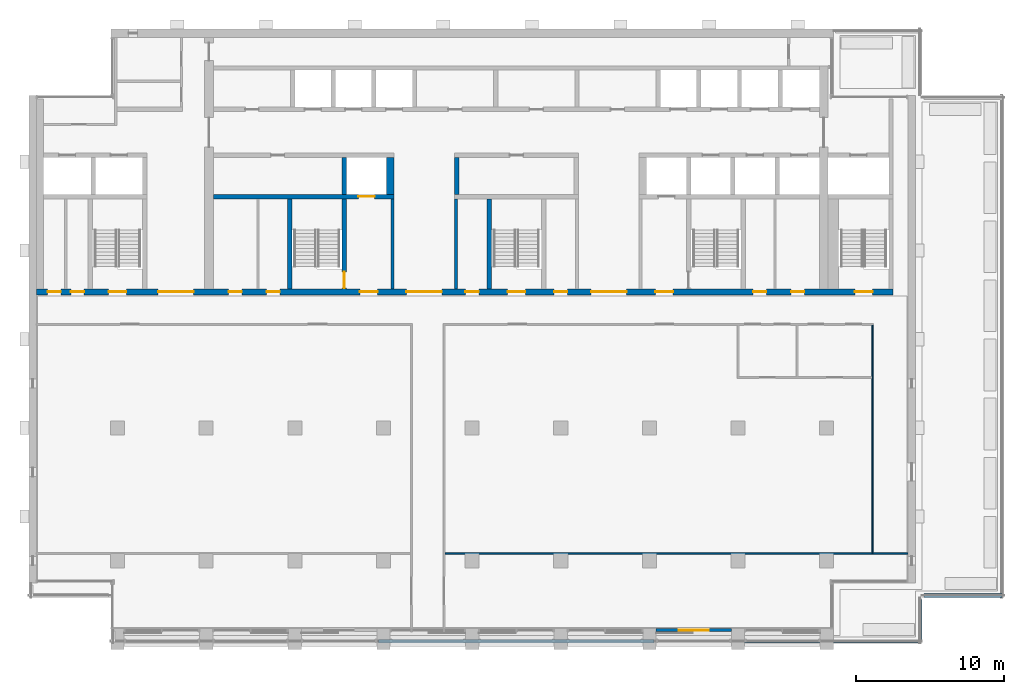
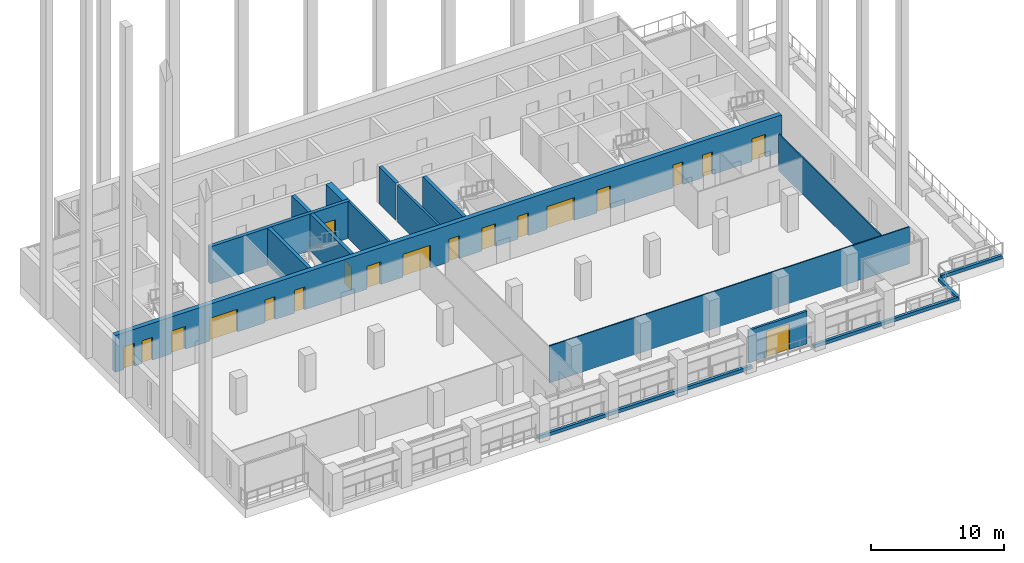
# One storey, part 8 of 16: 19 doors, 17 walls, 19 openings.
"""IFC4 building model written with IfcOpenShell, lengths in metres."""

from ifc_helpers import new_model, si_unit, direction, frame, frame_2d, origin, place, context, subcontext, project, spatial, rectangle, extrude, material, layer, layer_set, type_object, element, fill, save


model = new_model("IFC4")

# Units and contexts
model_context = context("Model", 3, precision=1e-05, world=origin(), true_north=direction((0.0, 1.0)))
body_context = subcontext(model_context, "Body", "Model", "MODEL_VIEW")
ifc_project = project(units=[si_unit("LENGTHUNIT", "METRE"), si_unit("AREAUNIT", "SQUARE_METRE"), si_unit("VOLUMEUNIT", "CUBIC_METRE"), si_unit("PLANEANGLEUNIT", "RADIAN"), si_unit("MASSUNIT", "GRAM", prefix="KILO")], contexts=[model_context])

# Site, building, storey
site_placement = place(None, origin())
site = spatial("IfcSite", under=ifc_project, at=site_placement, CompositionType="ELEMENT")
building_placement = place(site_placement, origin())
building = spatial("IfcBuilding", under=site, at=building_placement, Name="Calvaro Tower", CompositionType="ELEMENT")
storey_placement = place(building_placement, frame((0.0, 0.0, 231.75)))
storey = spatial("IfcBuildingStorey", under=building, at=storey_placement, Name="L58", CompositionType="ELEMENT", Elevation=231.75)

# Walls
ifc_material_1 = material(Name="Blockwork partition", Category="masonry")
ifc_layer_1 = layer(ifc_material_1, 0.199951171875)
ifc_layer_set_1 = layer_set([ifc_layer_1], Name="Blockwork partition")
wall_type_1 = type_object("IfcWallType", Name="Core partition 200 REI 120", PredefinedType="PARTITIONING", material=ifc_layer_set_1)
for number, where, z_axis, x_axis, name in (
    (1, (30.60009765625, 28.39990234375, 0.0), (0.0, 0.0, 1.0), (0.0, 1.0, 0.0), "Core partition"),
    (2, (34.89990234375, 28.39990234375, 0.0), (0.0, 0.0, 1.0), (0.0, 1.0, 0.0), "Core partition"),
):
    element("IfcWall", number, at=place(storey_placement, frame(where, z_axis=z_axis, x_axis=x_axis)), inside=storey, type_object=wall_type_1, Name=name, PredefinedType="PARTITIONING", context=body_context, shape_type="SweptSolid", body=[
        extrude(rectangle(XDim=6.10009765625, YDim=0.199951171875, at=frame_2d((3.050048828125, 0.0))), origin(), (0.0, 0.0, 1.0), 3.39990234375),
    ])
ifc_material_2 = material(Name="Concrete C40/50", Category="concrete")
ifc_layer_2 = layer(ifc_material_2, 0.300048828125)
ifc_layer_set_2 = layer_set([ifc_layer_2], Name="Concrete C40/50")
wall_type_2 = type_object("IfcWallType", Name="Core wall C40/50 300", PredefinedType="SHEAR", material=ifc_layer_set_2)
wall_1_placement = place(storey_placement, frame((23.64990234375, 28.39990234375, 0.0), z_axis=(0.0, 0.0, 1.0), x_axis=(0.0, 1.0, 0.0)))
element("IfcWall", 3, at=wall_1_placement, inside=storey, type_object=wall_type_2, Name="Core wall, stair enclosure", PredefinedType="SHEAR", context=body_context, shape_type="SweptSolid", body=[
    extrude(rectangle(XDim=6.10009765625, YDim=0.300048828125, at=frame_2d((3.050048828125, 0.0))), origin(), (0.0, 0.0, 1.0), 3.39990234375),
])

# Wall, opening, door
wall_2_placement = place(storey_placement, frame((27.35009765625, 28.39990234375, 0.0), z_axis=(0.0, 0.0, 1.0), x_axis=(0.0, 1.0, 0.0)))
wall_2 = element("IfcWall", 4, at=wall_2_placement, inside=storey, type_object=wall_type_2, Name="Core wall, stair enclosure", PredefinedType="SHEAR", context=body_context, shape_type="SweptSolid", body=[
    extrude(rectangle(XDim=6.10009765625, YDim=0.300048828125, at=frame_2d((3.050048828125, 0.0))), origin(), (0.0, 0.0, 1.0), 3.39990234375),
])
opening_1_placement = place(wall_2_placement, frame((0.050048828125, 0.0, 0.0)))
opening_1 = element("IfcOpeningElement", 5, at=opening_1_placement, cuts=wall_2, Name="Opening FD11D", PredefinedType="OPENING", context=body_context, shape_type="SweptSolid", body=[
    extrude(rectangle(XDim=1.10009765625, YDim=2.10009765625, at=frame_2d((0.550048828125, 1.050048828125))), frame((0.0, 0.159912109375, 0.0), z_axis=(0.0, -1.0, 0.0), x_axis=(1.0, 0.0, 0.0)), (0.0, 0.0, 1.0), 0.320068359375),
])
ifc_material_3 = material(Name="Steel door set", Category="steel")
door_type_1 = type_object("IfcDoorType", Name="Fire door 1100 FD30S", OperationType="SINGLE_SWING_LEFT", PredefinedType="DOOR", material=ifc_material_3)
door_1_placement = place(opening_1_placement, origin())
door_1 = element("IfcDoor", 6, at=door_1_placement, inside=storey, type_object=door_type_1, Name="Fire door", OperationType="SINGLE_SWING_LEFT", OverallHeight=2.10009765625, OverallWidth=1.10009765625, PredefinedType="DOOR", context=body_context, shape_type="SweptSolid", body=[
    extrude(rectangle(XDim=1.10009765625, YDim=2.10009765625, at=frame_2d((0.550048828125, 1.050048828125))), frame((0.0, 0.02490234375, 0.0), z_axis=(0.0, -1.0, 0.0), x_axis=(1.0, 0.0, 0.0)), (0.0, 0.0, 1.0), 0.050048828125),
])
fill(opening_1, door_1)

# Wall
wall_3_placement = place(storey_placement, frame((37.14990234375, 28.39990234375, 0.0), z_axis=(0.0, 0.0, 1.0), x_axis=(0.0, 1.0, 0.0)))
element("IfcWall", 7, at=wall_3_placement, inside=storey, type_object=wall_type_2, Name="Core wall, stair enclosure", PredefinedType="SHEAR", context=body_context, shape_type="SweptSolid", body=[
    extrude(rectangle(XDim=6.10009765625, YDim=0.300048828125, at=frame_2d((3.050048828125, 0.0))), origin(), (0.0, 0.0, 1.0), 3.39990234375),
])

# Wall, opening, door
wall_4_placement = place(storey_placement, frame((18.5, 34.64990234375, 0.0), z_axis=(0.0, 0.0, 1.0), x_axis=(1.0, 0.0, 0.0)))
wall_4 = element("IfcWall", 8, at=wall_4_placement, inside=storey, type_object=wall_type_2, Name="Core wall, lift shaft", PredefinedType="SHEAR", context=body_context, shape_type="SweptSolid", body=[
    extrude(rectangle(XDim=12.199951171875, YDim=0.300048828125, at=frame_2d((6.10009765625, 0.0))), origin(), (0.0, 0.0, 1.0), 3.39990234375),
])
opening_2_placement = place(wall_4_placement, frame((9.800048828125, 0.0, 0.0)))
opening_2 = element("IfcOpeningElement", 9, at=opening_2_placement, cuts=wall_4, Name="Opening FF1", PredefinedType="OPENING", context=body_context, shape_type="SweptSolid", body=[
    extrude(rectangle(XDim=1.10009765625, YDim=2.10009765625, at=frame_2d((0.550048828125, 1.050048828125))), frame((0.0, 0.159912109375, 0.0), z_axis=(0.0, -1.0, 0.0), x_axis=(1.0, 0.0, 0.0)), (0.0, 0.0, 1.0), 0.320068359375),
])
ifc_material_4 = material(Name="Stainless steel", Category="steel")
door_type_2 = type_object("IfcDoorType", Name="Landing door 1100 E 60", OperationType="SLIDING_TO_LEFT", PredefinedType="DOOR", material=ifc_material_4)
door_2_placement = place(opening_2_placement, origin())
door_2 = element("IfcDoor", 10, at=door_2_placement, inside=storey, type_object=door_type_2, Name="Landing door FF1", OperationType="SLIDING_TO_LEFT", OverallHeight=2.10009765625, OverallWidth=1.10009765625, PredefinedType="DOOR", context=body_context, shape_type="SweptSolid", body=[
    extrude(rectangle(XDim=1.10009765625, YDim=2.10009765625, at=frame_2d((0.550048828125, 1.050048828125))), frame((0.0, 0.02490234375, 0.0), z_axis=(0.0, -1.0, 0.0), x_axis=(1.0, 0.0, 0.0)), (0.0, 0.0, 1.0), 0.050048828125),
])
fill(opening_2, door_2)

# Walls
for number, where, z_axis, x_axis, name in (
    (11, (27.35009765625, 34.800048828125, 0.0), (0.0, 0.0, 1.0), (0.0, 1.0, 0.0), "Core wall, lift shaft"),
    (12, (34.949951171875, 34.800048828125, 0.0), (0.0, 0.0, 1.0), (0.0, 1.0, 0.0), "Core wall, lift shaft"),
):
    element("IfcWall", number, at=place(storey_placement, frame(where, z_axis=z_axis, x_axis=x_axis)), inside=storey, type_object=wall_type_2, Name=name, PredefinedType="SHEAR", context=body_context, shape_type="SweptSolid", body=[
        extrude(rectangle(XDim=2.5, YDim=0.300048828125, at=frame_2d((1.25, 0.0))), origin(), (0.0, 0.0, 1.0), 3.39990234375),
    ])

# Wall, openings, doors
ifc_material_5 = material(Name="Concrete C40/50", Category="concrete")
ifc_layer_3 = layer(ifc_material_5, 0.39990234375)
ifc_layer_set_3 = layer_set([ifc_layer_3], Name="Concrete C40/50")
wall_type_3 = type_object("IfcWallType", Name="Core wall C40/50 400", PredefinedType="SHEAR", material=ifc_layer_set_3)
wall_5_placement = place(storey_placement, frame((6.5, 28.199951171875, 0.0), z_axis=(0.0, 0.0, 1.0), x_axis=(1.0, 0.0, 0.0)))
wall_5 = element("IfcWall", 13, at=wall_5_placement, inside=storey, type_object=wall_type_3, Name="Core wall, front", PredefinedType="SHEAR", context=body_context, shape_type="SweptSolid", body=[
    extrude(rectangle(XDim=58.0, YDim=0.39990234375, at=frame_2d((29.0, 0.0))), origin(), (0.0, 0.0, 1.0), 3.39990234375),
])
opening_3_placement = place(wall_5_placement, frame((13.012451171875, 0.0, 0.0)))
opening_3 = element("IfcOpeningElement", 14, at=opening_3_placement, cuts=wall_5, Name="Opening RD9E", PredefinedType="OPENING", context=body_context, shape_type="SweptSolid", body=[
    extrude(rectangle(XDim=0.89990234375, YDim=2.10009765625, at=frame_2d((0.449951171875, 1.050048828125))), frame((0.0, 0.2099609375, 0.0), z_axis=(0.0, -1.0, 0.0), x_axis=(1.0, 0.0, 0.0)), (0.0, 0.0, 1.0), 0.419921875),
])
opening_4_placement = place(wall_5_placement, frame((15.58740234375, 0.0, 0.0)))
opening_4 = element("IfcOpeningElement", 15, at=opening_4_placement, cuts=wall_5, Name="Opening RD9E", PredefinedType="OPENING", context=body_context, shape_type="SweptSolid", body=[
    extrude(rectangle(XDim=0.89990234375, YDim=2.10009765625, at=frame_2d((0.449951171875, 1.050048828125))), frame((0.0, 0.2099609375, 0.0), z_axis=(0.0, -1.0, 0.0), x_axis=(1.0, 0.0, 0.0)), (0.0, 0.0, 1.0), 0.419921875),
])
opening_5_placement = place(wall_5_placement, frame((48.512451171875, 0.0, 0.0)))
opening_5 = element("IfcOpeningElement", 16, at=opening_5_placement, cuts=wall_5, Name="Opening RD9E", PredefinedType="OPENING", context=body_context, shape_type="SweptSolid", body=[
    extrude(rectangle(XDim=0.89990234375, YDim=2.10009765625, at=frame_2d((0.449951171875, 1.050048828125))), frame((0.0, 0.2099609375, 0.0), z_axis=(0.0, -1.0, 0.0), x_axis=(1.0, 0.0, 0.0)), (0.0, 0.0, 1.0), 0.419921875),
])
opening_6_placement = place(wall_5_placement, frame((51.08740234375, 0.0, 0.0)))
opening_6 = element("IfcOpeningElement", 17, at=opening_6_placement, cuts=wall_5, Name="Opening RD9E", PredefinedType="OPENING", context=body_context, shape_type="SweptSolid", body=[
    extrude(rectangle(XDim=0.89990234375, YDim=2.10009765625, at=frame_2d((0.449951171875, 1.050048828125))), frame((0.0, 0.2099609375, 0.0), z_axis=(0.0, -1.0, 0.0), x_axis=(1.0, 0.0, 0.0)), (0.0, 0.0, 1.0), 0.419921875),
])
opening_7_placement = place(wall_5_placement, frame((0.762451171875, 0.0, 0.0)))
opening_7 = element("IfcOpeningElement", 18, at=opening_7_placement, cuts=wall_5, Name="Opening RD9E", PredefinedType="OPENING", context=body_context, shape_type="SweptSolid", body=[
    extrude(rectangle(XDim=0.89990234375, YDim=2.10009765625, at=frame_2d((0.449951171875, 1.050048828125))), frame((0.0, 0.2099609375, 0.0), z_axis=(0.0, -1.0, 0.0), x_axis=(1.0, 0.0, 0.0)), (0.0, 0.0, 1.0), 0.419921875),
])
opening_8_placement = place(wall_5_placement, frame((2.33740234375, 0.0, 0.0)))
opening_8 = element("IfcOpeningElement", 19, at=opening_8_placement, cuts=wall_5, Name="Opening RD9C", PredefinedType="OPENING", context=body_context, shape_type="SweptSolid", body=[
    extrude(rectangle(XDim=0.89990234375, YDim=2.10009765625, at=frame_2d((0.449951171875, 1.050048828125))), frame((0.0, 0.2099609375, 0.0), z_axis=(0.0, -1.0, 0.0), x_axis=(1.0, 0.0, 0.0)), (0.0, 0.0, 1.0), 0.419921875),
])
opening_9_placement = place(wall_5_placement, frame((4.89990234375, 0.0, 0.0)))
opening_9 = element("IfcOpeningElement", 20, at=opening_9_placement, cuts=wall_5, Name="Opening SD12D", PredefinedType="OPENING", context=body_context, shape_type="SweptSolid", body=[
    extrude(rectangle(XDim=1.199951171875, YDim=2.10009765625, at=frame_2d((0.60009765625, 1.050048828125))), frame((0.0, 0.2099609375, 0.0), z_axis=(0.0, -1.0, 0.0), x_axis=(1.0, 0.0, 0.0)), (0.0, 0.0, 1.0), 0.419921875),
])
opening_10_placement = place(wall_5_placement, frame((31.89990234375, 0.0, 0.0)))
opening_10 = element("IfcOpeningElement", 21, at=opening_10_placement, cuts=wall_5, Name="Opening SD12D", PredefinedType="OPENING", context=body_context, shape_type="SweptSolid", body=[
    extrude(rectangle(XDim=1.199951171875, YDim=2.10009765625, at=frame_2d((0.60009765625, 1.050048828125))), frame((0.0, 0.2099609375, 0.0), z_axis=(0.0, -1.0, 0.0), x_axis=(1.0, 0.0, 0.0)), (0.0, 0.0, 1.0), 0.419921875),
])
opening_11_placement = place(wall_5_placement, frame((55.39990234375, 0.0, 0.0)))
opening_11 = element("IfcOpeningElement", 22, at=opening_11_placement, cuts=wall_5, Name="Opening SD12D", PredefinedType="OPENING", context=body_context, shape_type="SweptSolid", body=[
    extrude(rectangle(XDim=1.199951171875, YDim=2.10009765625, at=frame_2d((0.60009765625, 1.050048828125))), frame((0.0, 0.2099609375, 0.0), z_axis=(0.0, -1.0, 0.0), x_axis=(1.0, 0.0, 0.0)), (0.0, 0.0, 1.0), 0.419921875),
])
opening_12_placement = place(wall_5_placement, frame((21.89990234375, 0.0, 0.0)))
opening_12 = element("IfcOpeningElement", 23, at=opening_12_placement, cuts=wall_5, Name="Opening FD12F", PredefinedType="OPENING", context=body_context, shape_type="SweptSolid", body=[
    extrude(rectangle(XDim=1.199951171875, YDim=2.10009765625, at=frame_2d((0.60009765625, 1.050048828125))), frame((0.0, 0.2099609375, 0.0), z_axis=(0.0, -1.0, 0.0), x_axis=(1.0, 0.0, 0.0)), (0.0, 0.0, 1.0), 0.419921875),
])
opening_13_placement = place(wall_5_placement, frame((41.89990234375, 0.0, 0.0)))
opening_13 = element("IfcOpeningElement", 24, at=opening_13_placement, cuts=wall_5, Name="Opening FD12F", PredefinedType="OPENING", context=body_context, shape_type="SweptSolid", body=[
    extrude(rectangle(XDim=1.199951171875, YDim=2.10009765625, at=frame_2d((0.60009765625, 1.050048828125))), frame((0.0, 0.2099609375, 0.0), z_axis=(0.0, -1.0, 0.0), x_axis=(1.0, 0.0, 0.0)), (0.0, 0.0, 1.0), 0.419921875),
])
opening_14_placement = place(wall_5_placement, frame((25.050048828125, 0.0, 0.0)))
opening_14 = element("IfcOpeningElement", 25, at=opening_14_placement, cuts=wall_5, Name="Opening DD24D", PredefinedType="OPENING", context=body_context, shape_type="SweptSolid", body=[
    extrude(rectangle(XDim=2.39990234375, YDim=2.10009765625, at=frame_2d((1.199951171875, 1.050048828125))), frame((0.0, 0.2099609375, 0.0), z_axis=(0.0, -1.0, 0.0), x_axis=(1.0, 0.0, 0.0)), (0.0, 0.0, 1.0), 0.419921875),
])
opening_15_placement = place(wall_5_placement, frame((37.550048828125, 0.0, 0.0)))
opening_15 = element("IfcOpeningElement", 26, at=opening_15_placement, cuts=wall_5, Name="Opening DD24D", PredefinedType="OPENING", context=body_context, shape_type="SweptSolid", body=[
    extrude(rectangle(XDim=2.39990234375, YDim=2.10009765625, at=frame_2d((1.199951171875, 1.050048828125))), frame((0.0, 0.2099609375, 0.0), z_axis=(0.0, -1.0, 0.0), x_axis=(1.0, 0.0, 0.0)), (0.0, 0.0, 1.0), 0.419921875),
])
opening_16_placement = place(wall_5_placement, frame((8.25, 0.0, 0.0)))
opening_16 = element("IfcOpeningElement", 27, at=opening_16_placement, cuts=wall_5, Name="Opening DD24D", PredefinedType="OPENING", context=body_context, shape_type="SweptSolid", body=[
    extrude(rectangle(XDim=2.39990234375, YDim=2.10009765625, at=frame_2d((1.199951171875, 1.050048828125))), frame((0.0, 0.2099609375, 0.0), z_axis=(0.0, -1.0, 0.0), x_axis=(1.0, 0.0, 0.0)), (0.0, 0.0, 1.0), 0.419921875),
])
opening_17_placement = place(wall_5_placement, frame((29.050048828125, 0.0, 0.0)))
opening_17 = element("IfcOpeningElement", 28, at=opening_17_placement, cuts=wall_5, Name="Opening RD9E", PredefinedType="OPENING", context=body_context, shape_type="SweptSolid", body=[
    extrude(rectangle(XDim=0.89990234375, YDim=2.10009765625, at=frame_2d((0.449951171875, 1.050048828125))), frame((0.0, 0.2099609375, 0.0), z_axis=(0.0, -1.0, 0.0), x_axis=(1.0, 0.0, 0.0)), (0.0, 0.0, 1.0), 0.419921875),
])
opening_18_placement = place(wall_5_placement, frame((35.050048828125, 0.0, 0.0)))
opening_18 = element("IfcOpeningElement", 29, at=opening_18_placement, cuts=wall_5, Name="Opening RD9E", PredefinedType="OPENING", context=body_context, shape_type="SweptSolid", body=[
    extrude(rectangle(XDim=0.89990234375, YDim=2.10009765625, at=frame_2d((0.449951171875, 1.050048828125))), frame((0.0, 0.2099609375, 0.0), z_axis=(0.0, -1.0, 0.0), x_axis=(1.0, 0.0, 0.0)), (0.0, 0.0, 1.0), 0.419921875),
])
ifc_material_6 = material(Name="Steel door set", Category="steel")
door_type_3 = type_object("IfcDoorType", Name="Fire door 1200 FD60S", OperationType="SINGLE_SWING_LEFT", PredefinedType="DOOR", material=ifc_material_6)
door_3_placement = place(opening_12_placement, origin())
door_3 = element("IfcDoor", 30, at=door_3_placement, inside=storey, type_object=door_type_3, Name="Fire door", OperationType="SINGLE_SWING_LEFT", OverallHeight=2.10009765625, OverallWidth=1.199951171875, PredefinedType="DOOR", context=body_context, shape_type="SweptSolid", body=[
    extrude(rectangle(XDim=1.199951171875, YDim=2.10009765625, at=frame_2d((0.60009765625, 1.050048828125))), frame((0.0, 0.02490234375, 0.0), z_axis=(0.0, -1.0, 0.0), x_axis=(1.0, 0.0, 0.0)), (0.0, 0.0, 1.0), 0.050048828125),
])
fill(opening_12, door_3)
door_4_placement = place(opening_13_placement, origin())
door_4 = element("IfcDoor", 31, at=door_4_placement, inside=storey, type_object=door_type_3, Name="Fire door", OperationType="SINGLE_SWING_LEFT", OverallHeight=2.10009765625, OverallWidth=1.199951171875, PredefinedType="DOOR", context=body_context, shape_type="SweptSolid", body=[
    extrude(rectangle(XDim=1.199951171875, YDim=2.10009765625, at=frame_2d((0.60009765625, 1.050048828125))), frame((0.0, 0.02490234375, 0.0), z_axis=(0.0, -1.0, 0.0), x_axis=(1.0, 0.0, 0.0)), (0.0, 0.0, 1.0), 0.050048828125),
])
fill(opening_13, door_4)
ifc_material_7 = material(Name="Steel door set", Category="steel")
door_type_4 = type_object("IfcDoorType", Name="Lobby double door 2400 FD30S", OperationType="DOUBLE_DOOR_SINGLE_SWING", PredefinedType="DOOR", material=ifc_material_7)
door_5_placement = place(opening_14_placement, origin())
door_5 = element("IfcDoor", 32, at=door_5_placement, inside=storey, type_object=door_type_4, Name="Lobby double door", OperationType="DOUBLE_DOOR_SINGLE_SWING", OverallHeight=2.10009765625, OverallWidth=2.39990234375, PredefinedType="DOOR", context=body_context, shape_type="SweptSolid", body=[
    extrude(rectangle(XDim=2.39990234375, YDim=2.10009765625, at=frame_2d((1.199951171875, 1.050048828125))), frame((0.0, 0.02490234375, 0.0), z_axis=(0.0, -1.0, 0.0), x_axis=(1.0, 0.0, 0.0)), (0.0, 0.0, 1.0), 0.050048828125),
])
fill(opening_14, door_5)
door_6_placement = place(opening_15_placement, origin())
door_6 = element("IfcDoor", 33, at=door_6_placement, inside=storey, type_object=door_type_4, Name="Lobby double door", OperationType="DOUBLE_DOOR_SINGLE_SWING", OverallHeight=2.10009765625, OverallWidth=2.39990234375, PredefinedType="DOOR", context=body_context, shape_type="SweptSolid", body=[
    extrude(rectangle(XDim=2.39990234375, YDim=2.10009765625, at=frame_2d((1.199951171875, 1.050048828125))), frame((0.0, 0.02490234375, 0.0), z_axis=(0.0, -1.0, 0.0), x_axis=(1.0, 0.0, 0.0)), (0.0, 0.0, 1.0), 0.050048828125),
])
fill(opening_15, door_6)
door_7_placement = place(opening_16_placement, origin())
door_7 = element("IfcDoor", 34, at=door_7_placement, inside=storey, type_object=door_type_4, Name="Lobby double door", OperationType="DOUBLE_DOOR_SINGLE_SWING", OverallHeight=2.10009765625, OverallWidth=2.39990234375, PredefinedType="DOOR", context=body_context, shape_type="SweptSolid", body=[
    extrude(rectangle(XDim=2.39990234375, YDim=2.10009765625, at=frame_2d((1.199951171875, 1.050048828125))), frame((0.0, 0.02490234375, 0.0), z_axis=(0.0, -1.0, 0.0), x_axis=(1.0, 0.0, 0.0)), (0.0, 0.0, 1.0), 0.050048828125),
])
fill(opening_16, door_7)
ifc_material_8 = material(Name="Steel door set", Category="steel")
door_type_5 = type_object("IfcDoorType", Name="Room door 900 FD30", OperationType="SINGLE_SWING_LEFT", PredefinedType="DOOR", material=ifc_material_8)
door_8_placement = place(opening_8_placement, origin())
door_8 = element("IfcDoor", 35, at=door_8_placement, inside=storey, type_object=door_type_5, Name="Room door", OperationType="SINGLE_SWING_LEFT", OverallHeight=2.10009765625, OverallWidth=0.89990234375, PredefinedType="DOOR", context=body_context, shape_type="SweptSolid", body=[
    extrude(rectangle(XDim=0.89990234375, YDim=2.10009765625, at=frame_2d((0.449951171875, 1.050048828125))), frame((0.0, 0.02490234375, 0.0), z_axis=(0.0, -1.0, 0.0), x_axis=(1.0, 0.0, 0.0)), (0.0, 0.0, 1.0), 0.050048828125),
])
fill(opening_8, door_8)
ifc_material_9 = material(Name="Steel door set", Category="steel")
door_type_6 = type_object("IfcDoorType", Name="Room door 900 FD60", OperationType="SINGLE_SWING_LEFT", PredefinedType="DOOR", material=ifc_material_9)
door_9_placement = place(opening_3_placement, origin())
door_9 = element("IfcDoor", 36, at=door_9_placement, inside=storey, type_object=door_type_6, Name="Room door", OperationType="SINGLE_SWING_LEFT", OverallHeight=2.10009765625, OverallWidth=0.89990234375, PredefinedType="DOOR", context=body_context, shape_type="SweptSolid", body=[
    extrude(rectangle(XDim=0.89990234375, YDim=2.10009765625, at=frame_2d((0.449951171875, 1.050048828125))), frame((0.0, 0.02490234375, 0.0), z_axis=(0.0, -1.0, 0.0), x_axis=(1.0, 0.0, 0.0)), (0.0, 0.0, 1.0), 0.050048828125),
])
fill(opening_3, door_9)
door_10_placement = place(opening_4_placement, origin())
door_10 = element("IfcDoor", 37, at=door_10_placement, inside=storey, type_object=door_type_6, Name="Room door", OperationType="SINGLE_SWING_RIGHT", OverallHeight=2.10009765625, OverallWidth=0.89990234375, PredefinedType="DOOR", context=body_context, shape_type="SweptSolid", body=[
    extrude(rectangle(XDim=0.89990234375, YDim=2.10009765625, at=frame_2d((0.449951171875, 1.050048828125))), frame((0.0, 0.02490234375, 0.0), z_axis=(0.0, -1.0, 0.0), x_axis=(1.0, 0.0, 0.0)), (0.0, 0.0, 1.0), 0.050048828125),
])
fill(opening_4, door_10)
door_11_placement = place(opening_5_placement, origin())
door_11 = element("IfcDoor", 38, at=door_11_placement, inside=storey, type_object=door_type_6, Name="Room door", OperationType="SINGLE_SWING_LEFT", OverallHeight=2.10009765625, OverallWidth=0.89990234375, PredefinedType="DOOR", context=body_context, shape_type="SweptSolid", body=[
    extrude(rectangle(XDim=0.89990234375, YDim=2.10009765625, at=frame_2d((0.449951171875, 1.050048828125))), frame((0.0, 0.02490234375, 0.0), z_axis=(0.0, -1.0, 0.0), x_axis=(1.0, 0.0, 0.0)), (0.0, 0.0, 1.0), 0.050048828125),
])
fill(opening_5, door_11)
door_12_placement = place(opening_6_placement, origin())
door_12 = element("IfcDoor", 39, at=door_12_placement, inside=storey, type_object=door_type_6, Name="Room door", OperationType="SINGLE_SWING_LEFT", OverallHeight=2.10009765625, OverallWidth=0.89990234375, PredefinedType="DOOR", context=body_context, shape_type="SweptSolid", body=[
    extrude(rectangle(XDim=0.89990234375, YDim=2.10009765625, at=frame_2d((0.449951171875, 1.050048828125))), frame((0.0, 0.02490234375, 0.0), z_axis=(0.0, -1.0, 0.0), x_axis=(1.0, 0.0, 0.0)), (0.0, 0.0, 1.0), 0.050048828125),
])
fill(opening_6, door_12)
door_13_placement = place(opening_7_placement, origin())
door_13 = element("IfcDoor", 40, at=door_13_placement, inside=storey, type_object=door_type_6, Name="Room door", OperationType="SINGLE_SWING_LEFT", OverallHeight=2.10009765625, OverallWidth=0.89990234375, PredefinedType="DOOR", context=body_context, shape_type="SweptSolid", body=[
    extrude(rectangle(XDim=0.89990234375, YDim=2.10009765625, at=frame_2d((0.449951171875, 1.050048828125))), frame((0.0, 0.02490234375, 0.0), z_axis=(0.0, -1.0, 0.0), x_axis=(1.0, 0.0, 0.0)), (0.0, 0.0, 1.0), 0.050048828125),
])
fill(opening_7, door_13)
door_14_placement = place(opening_17_placement, origin())
door_14 = element("IfcDoor", 41, at=door_14_placement, inside=storey, type_object=door_type_6, Name="Room door", OperationType="SINGLE_SWING_LEFT", OverallHeight=2.10009765625, OverallWidth=0.89990234375, PredefinedType="DOOR", context=body_context, shape_type="SweptSolid", body=[
    extrude(rectangle(XDim=0.89990234375, YDim=2.10009765625, at=frame_2d((0.449951171875, 1.050048828125))), frame((0.0, 0.02490234375, 0.0), z_axis=(0.0, -1.0, 0.0), x_axis=(1.0, 0.0, 0.0)), (0.0, 0.0, 1.0), 0.050048828125),
])
fill(opening_17, door_14)
door_15_placement = place(opening_18_placement, origin())
door_15 = element("IfcDoor", 42, at=door_15_placement, inside=storey, type_object=door_type_6, Name="Room door", OperationType="SINGLE_SWING_LEFT", OverallHeight=2.10009765625, OverallWidth=0.89990234375, PredefinedType="DOOR", context=body_context, shape_type="SweptSolid", body=[
    extrude(rectangle(XDim=0.89990234375, YDim=2.10009765625, at=frame_2d((0.449951171875, 1.050048828125))), frame((0.0, 0.02490234375, 0.0), z_axis=(0.0, -1.0, 0.0), x_axis=(1.0, 0.0, 0.0)), (0.0, 0.0, 1.0), 0.050048828125),
])
fill(opening_18, door_15)
ifc_material_10 = material(Name="Steel door set", Category="steel")
door_type_7 = type_object("IfcDoorType", Name="Stair door 1200 FD30S", OperationType="SINGLE_SWING_LEFT", PredefinedType="DOOR", material=ifc_material_10)
door_16_placement = place(opening_9_placement, origin())
door_16 = element("IfcDoor", 43, at=door_16_placement, inside=storey, type_object=door_type_7, Name="Stair door", OperationType="SINGLE_SWING_LEFT", OverallHeight=2.10009765625, OverallWidth=1.199951171875, PredefinedType="DOOR", context=body_context, shape_type="SweptSolid", body=[
    extrude(rectangle(XDim=1.199951171875, YDim=2.10009765625, at=frame_2d((0.60009765625, 1.050048828125))), frame((0.0, 0.02490234375, 0.0), z_axis=(0.0, -1.0, 0.0), x_axis=(1.0, 0.0, 0.0)), (0.0, 0.0, 1.0), 0.050048828125),
])
fill(opening_9, door_16)
door_17_placement = place(opening_10_placement, origin())
door_17 = element("IfcDoor", 44, at=door_17_placement, inside=storey, type_object=door_type_7, Name="Stair door", OperationType="SINGLE_SWING_LEFT", OverallHeight=2.10009765625, OverallWidth=1.199951171875, PredefinedType="DOOR", context=body_context, shape_type="SweptSolid", body=[
    extrude(rectangle(XDim=1.199951171875, YDim=2.10009765625, at=frame_2d((0.60009765625, 1.050048828125))), frame((0.0, 0.02490234375, 0.0), z_axis=(0.0, -1.0, 0.0), x_axis=(1.0, 0.0, 0.0)), (0.0, 0.0, 1.0), 0.050048828125),
])
fill(opening_10, door_17)
door_18_placement = place(opening_11_placement, origin())
door_18 = element("IfcDoor", 45, at=door_18_placement, inside=storey, type_object=door_type_7, Name="Stair door", OperationType="SINGLE_SWING_LEFT", OverallHeight=2.10009765625, OverallWidth=1.199951171875, PredefinedType="DOOR", context=body_context, shape_type="SweptSolid", body=[
    extrude(rectangle(XDim=1.199951171875, YDim=2.10009765625, at=frame_2d((0.60009765625, 1.050048828125))), frame((0.0, 0.02490234375, 0.0), z_axis=(0.0, -1.0, 0.0), x_axis=(1.0, 0.0, 0.0)), (0.0, 0.0, 1.0), 0.050048828125),
])
fill(opening_11, door_18)

# Wall
ifc_material_11 = material(Name="Concrete C40/50", Category="concrete")
ifc_layer_4 = layer(ifc_material_11, 0.5)
ifc_layer_set_4 = layer_set([ifc_layer_4], Name="Concrete C40/50")
wall_type_4 = type_object("IfcWallType", Name="Core wall C40/50 500", PredefinedType="SHEAR", material=ifc_layer_set_4)
wall_6_placement = place(storey_placement, frame((30.449951171875, 34.800048828125, 0.0), z_axis=(0.0, 0.0, 1.0), x_axis=(0.0, 1.0, 0.0)))
element("IfcWall", 46, at=wall_6_placement, inside=storey, type_object=wall_type_4, Name="Core wall, lift shaft", PredefinedType="SHEAR", context=body_context, shape_type="SweptSolid", body=[
    extrude(rectangle(XDim=2.5, YDim=0.5, at=frame_2d((1.25, 0.0))), origin(), (0.0, 0.0, 1.0), 3.39990234375),
])

# Wall, opening, door
ifc_material_12 = material(Name="Anodised aluminium", Category="aluminium")
ifc_layer_5 = layer(ifc_material_12, 0.199951171875)
ifc_layer_set_5 = layer_set([ifc_layer_5], Name="Anodised aluminium")
wall_type_5 = type_object("IfcWallType", Name="Insulated door wall 200", PredefinedType="SOLIDWALL", material=ifc_layer_set_5)
wall_7_placement = place(storey_placement, frame((48.449951171875, 5.300048828125, 0.0), z_axis=(0.0, 0.0, 1.0), x_axis=(1.0, 0.0, 0.0)))
wall_7 = element("IfcWall", 47, at=wall_7_placement, inside=storey, type_object=wall_type_5, Name="Door wall", PredefinedType="SOLIDWALL", context=body_context, shape_type="SweptSolid", body=[
    extrude(rectangle(XDim=5.10009765625, YDim=0.199951171875, at=frame_2d((2.550048828125, 0.0))), origin(), (0.0, 0.0, 1.0), 3.0),
])
opening_19_placement = place(wall_7_placement, frame((1.550048828125, 0.0, 0.0)))
opening_19 = element("IfcOpeningElement", 48, at=opening_19_placement, cuts=wall_7, Name="Opening DT20", PredefinedType="OPENING", context=body_context, shape_type="SweptSolid", body=[
    extrude(rectangle(XDim=2.0, YDim=2.39990234375, at=frame_2d((1.0, 1.199951171875))), frame((0.0, 0.10986328125, 0.0), z_axis=(0.0, -1.0, 0.0), x_axis=(1.0, 0.0, 0.0)), (0.0, 0.0, 1.0), 0.219970703125),
])
ifc_material_13 = material(Name="Glass", Category="glass")
door_type_8 = type_object("IfcDoorType", Name="Terrace door pair 2000 x 2400", OperationType="DOUBLE_DOOR_SINGLE_SWING", PredefinedType="DOOR", material=ifc_material_13)
door_19_placement = place(opening_19_placement, frame((2.0, 0.0, 0.0), z_axis=(0.0, 0.0, 1.0), x_axis=(-1.0, 0.0, 0.0)))
door_19 = element("IfcDoor", 49, at=door_19_placement, inside=storey, type_object=door_type_8, Name="Terrace door", OperationType="DOUBLE_DOOR_SINGLE_SWING", OverallHeight=2.39990234375, OverallWidth=2.0, PredefinedType="DOOR", context=body_context, shape_type="SweptSolid", body=[
    extrude(rectangle(XDim=2.0, YDim=2.39990234375, at=frame_2d((1.0, 1.199951171875))), frame((0.0, 0.02490234375, 0.0), z_axis=(0.0, -1.0, 0.0), x_axis=(1.0, 0.0, 0.0)), (0.0, 0.0, 1.0), 0.050048828125),
])
fill(opening_19, door_19)

# Walls
ifc_material_14 = material(Name="Plasterboard on steel studs", Category="steel")
ifc_layer_6 = layer(ifc_material_14, 0.10009765625)
ifc_layer_set_6 = layer_set([ifc_layer_6], Name="Plasterboard on steel studs")
wall_type_6 = type_object("IfcWallType", Name="Partition 100", PredefinedType="PARTITIONING", material=ifc_layer_set_6)
wall_8_placement = place(storey_placement, frame((34.14990234375, 10.5, 0.0), z_axis=(0.0, 0.0, 1.0), x_axis=(1.0, 0.0, 0.0)))
element("IfcWall", 50, at=wall_8_placement, inside=storey, type_object=wall_type_6, Name="Partition T43.W002", PredefinedType="PARTITIONING", context=body_context, shape_type="SweptSolid", body=[
    extrude(rectangle(XDim=31.35009765625, YDim=0.10009765625, at=frame_2d((15.675048828125, 0.0))), origin(), (0.0, 0.0, 1.0), 3.39990234375),
])
wall_9_placement = place(storey_placement, frame((63.10009765625, 10.550048828125, 0.0), z_axis=(0.0, 0.0, 1.0), x_axis=(0.0, 1.0, 0.0)))
element("IfcWall", 51, at=wall_9_placement, inside=storey, type_object=wall_type_6, Name="Partition T43.W010", PredefinedType="PARTITIONING", context=body_context, shape_type="SweptSolid", body=[
    extrude(rectangle(XDim=15.39990234375, YDim=0.10009765625, at=frame_2d((7.699951171875, 0.0))), origin(), (0.0, 0.0, 1.0), 3.39990234375),
])
ifc_material_15 = material(Name="Concrete C40/50", Category="concrete")
ifc_layer_7 = layer(ifc_material_15, 0.199951171875, Name="Structure")
ifc_material_16 = material(Name="Reconstituted stone coping")
ifc_layer_8 = layer(ifc_material_16, 0.050048828125, Name="Finish")
ifc_layer_set_7 = layer_set([ifc_layer_7, ifc_layer_8], Name="Concrete C40/50")
wall_type_7 = type_object("IfcWallType", Name="Terrace edge kerb 250", PredefinedType="PARAPET", material=ifc_layer_set_7)
wall_10_placement = place(storey_placement, frame((71.875, 7.64990234375, 0.0), z_axis=(0.0, 0.0, 1.0), x_axis=(-1.0, 0.0, 0.0)))
element("IfcWall", 52, at=wall_10_placement, inside=storey, type_object=wall_type_7, Name="Terrace edge kerb", PredefinedType="PARAPET", context=body_context, shape_type="SweptSolid", body=[
    extrude(rectangle(XDim=5.300048828125, YDim=0.25, at=frame_2d((2.64990234375, 0.0))), origin(), (0.0, 0.0, 1.0), 0.300048828125),
])
wall_11_placement = place(storey_placement, frame((66.300048828125, 7.375, 0.0), z_axis=(0.0, 0.0, 1.0), x_axis=(0.0, -1.0, 0.0)))
element("IfcWall", 53, at=wall_11_placement, inside=storey, type_object=wall_type_7, Name="Terrace edge kerb", PredefinedType="PARAPET", context=body_context, shape_type="SweptSolid", body=[
    extrude(rectangle(XDim=2.85009765625, YDim=0.25, at=frame_2d((1.425048828125, 0.0))), origin(), (0.0, 0.0, 1.0), 0.300048828125),
])
wall_12_placement = place(storey_placement, frame((29.675048828125, 4.550048828125, 0.0), z_axis=(0.0, 0.0, 1.0), x_axis=(1.0, 0.0, 0.0)))
element("IfcWall", 54, at=wall_12_placement, inside=storey, type_object=wall_type_7, Name="Terrace edge kerb", PredefinedType="PARAPET", context=body_context, shape_type="SweptSolid", body=[
    extrude(rectangle(XDim=18.64990234375, YDim=0.25, at=frame_2d((9.324951171875, 0.0))), origin(), (0.0, 0.0, 1.0), 0.300048828125),
])
wall_13_placement = place(storey_placement, frame((53.675048828125, 4.550048828125, 0.0), z_axis=(0.0, 0.0, 1.0), x_axis=(1.0, 0.0, 0.0)))
element("IfcWall", 55, at=wall_13_placement, inside=storey, type_object=wall_type_7, Name="Terrace edge kerb", PredefinedType="PARAPET", context=body_context, shape_type="SweptSolid", body=[
    extrude(rectangle(XDim=12.64990234375, YDim=0.25, at=frame_2d((6.324951171875, 0.0))), origin(), (0.0, 0.0, 1.0), 0.300048828125),
])

save(model, "model.ifc")
